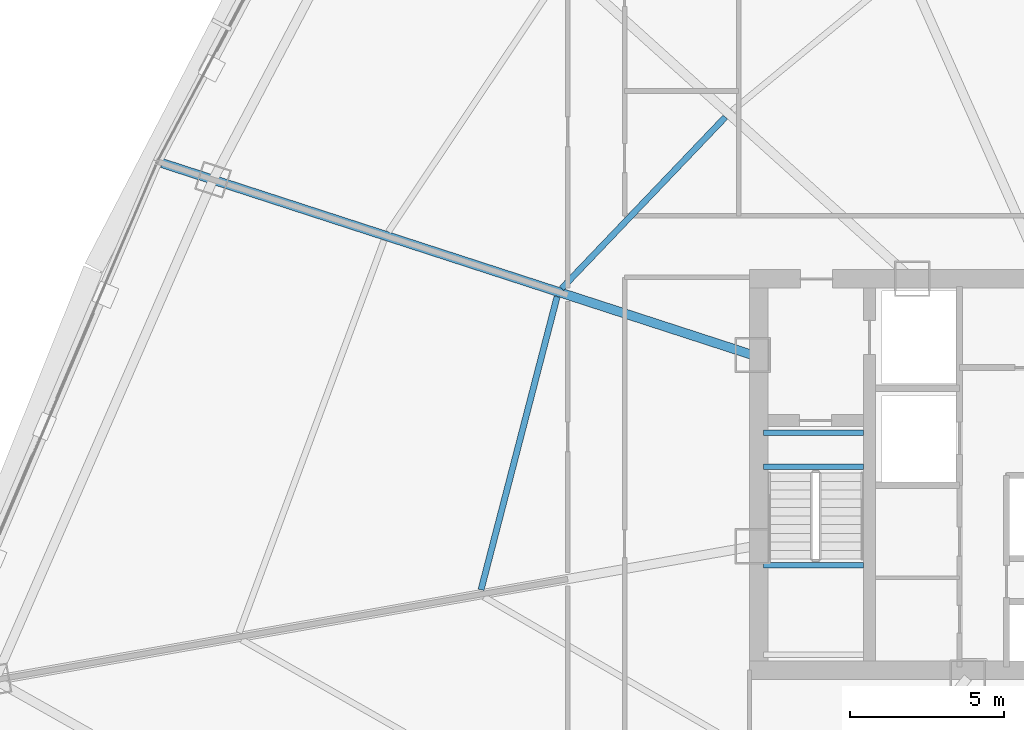
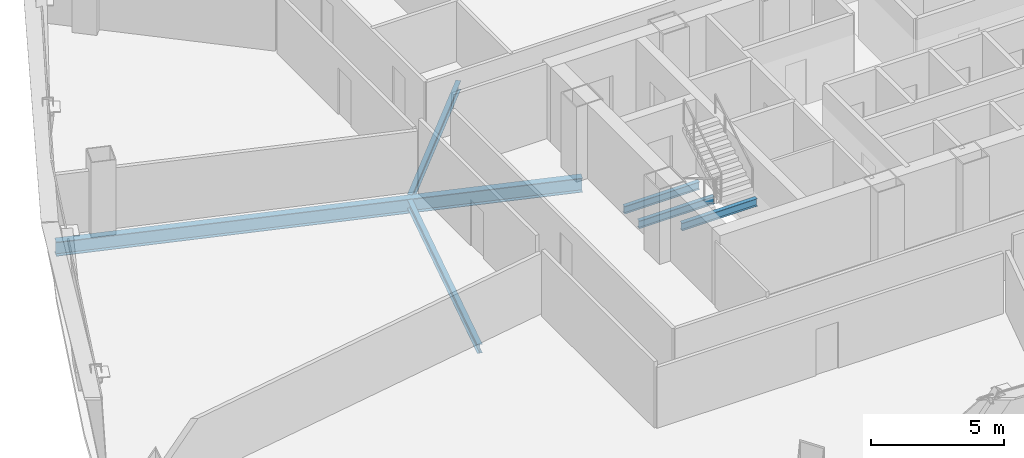
# One storey, part 9 of 42: 6 beams.
"""IFC4 building model written with IfcOpenShell, lengths in metres."""

import ifcopenshell
import ifcopenshell.guid

model = None  # the IFC model being written
_history = None  # IfcOwnerHistory: only IFC2X3 demands one
_inside = {}  # id of a spatial element -> (the spatial element, [elements in it])
_under = {}  # id of a project, library or spatial element -> (it, [spatial elements below it])
_declared = {}  # id of a project -> (the project, [libraries it declares])
_typed = {}  # id of a type object -> (the type object, [elements of that type])
_made_of = {}  # id of a material, layer set ... -> (it, [elements and type objects made of it])


def new_model(schema):
    """Start an empty IFC model of exactly this schema.

    Asked for "IFC4X3", IfcOpenShell would pick the latest addendum, in which some entities
    have other attributes; the version numbers below select the first issue.
    IFC2X3 requires an IfcOwnerHistory on every rooted entity: one is made here for all.
    """
    global model, _history
    if schema == "IFC4X3":
        model = ifcopenshell.file(schema_version=(4, 3, 0, 0))
    else:
        model = ifcopenshell.file(schema=schema)
    _inside.clear()
    _under.clear()
    _declared.clear()
    _typed.clear()
    _made_of.clear()
    _history = None
    if model.schema == "IFC2X3":
        org = make("IfcOrganization", Name="unknown")
        user = make(
            "IfcPersonAndOrganization",
            ThePerson=make("IfcPerson", FamilyName="unknown"),
            TheOrganization=org,
        )
        app = make(
            "IfcApplication",
            ApplicationDeveloper=org,
            Version="unknown",
            ApplicationFullName="unknown",
            ApplicationIdentifier="unknown",
        )
        _history = make(
            "IfcOwnerHistory",
            OwningUser=user,
            OwningApplication=app,
            ChangeAction="ADDED",
            CreationDate=0,
        )
    return model


def make(cls, **values):
    """One entity of the class cls with the attributes given. An attribute that is None is left unset."""
    return model.create_entity(
        cls, **{name: value for name, value in values.items() if value is not None}
    )


def rooted(cls, **values):
    """An entity with a GlobalId (a new one), such as an element, a storey or a relation."""
    return make(cls, GlobalId=ifcopenshell.guid.new(), OwnerHistory=_history, **values)


def si_unit(unit_type, name, prefix=None):
    """IfcSIUnit, for example si_unit("LENGTHUNIT", "METRE", prefix="MILLI")."""
    return make("IfcSIUnit", UnitType=unit_type, Prefix=prefix, Name=name)


def assignment(units):
    """IfcUnitAssignment: the units of a project."""
    return None if units is None else make("IfcUnitAssignment", Units=units)


def point(xyz):
    """IfcCartesianPoint."""
    return None if xyz is None else make("IfcCartesianPoint", Coordinates=xyz)


def direction(xyz):
    """IfcDirection."""
    return None if xyz is None else make("IfcDirection", DirectionRatios=xyz)


def frame(location, z_axis=None, x_axis=None):
    """IfcAxis2Placement3D, a coordinate frame: its origin and axes. An axis left out is left unset."""
    return make(
        "IfcAxis2Placement3D",
        Location=point(location),
        Axis=direction(z_axis),
        RefDirection=direction(x_axis),
    )


def frame_2d(location, x_axis=None):
    """IfcAxis2Placement2D, a coordinate frame in the plane: its origin and x axis."""
    return make(
        "IfcAxis2Placement2D", Location=point(location), RefDirection=direction(x_axis)
    )


def origin():
    """The frame at (0, 0, 0) with its axes left unset."""
    return frame((0.0, 0.0, 0.0))


def origin_2d():
    """The frame at (0, 0) in the plane with its x axis left unset."""
    return frame_2d((0.0, 0.0))


def place(relative_to, where):
    """IfcLocalPlacement: puts the frame where relative to a parent placement (None: the world)."""
    return make(
        "IfcLocalPlacement", PlacementRelTo=relative_to, RelativePlacement=where
    )


def context(
    kind, dimensions, precision=None, world=None, true_north=None, identifier=None
):
    """IfcGeometricRepresentationContext, for example the 3D "Model" context."""
    return make(
        "IfcGeometricRepresentationContext",
        ContextIdentifier=identifier,
        ContextType=kind,
        CoordinateSpaceDimension=dimensions,
        Precision=precision,
        WorldCoordinateSystem=world,
        TrueNorth=true_north,
    )


def subcontext(parent, identifier, kind, view, scale=None):
    """IfcGeometricRepresentationSubContext, for example "Body" below "Model"."""
    return make(
        "IfcGeometricRepresentationSubContext",
        ContextIdentifier=identifier,
        ContextType=kind,
        ParentContext=parent,
        TargetScale=scale,
        TargetView=view,
    )


def project(units=None, contexts=None):
    """IfcProject with its units and contexts."""
    return rooted(
        "IfcProject",
        Name="project",
        RepresentationContexts=contexts,
        UnitsInContext=assignment(units),
    )


def spatial(cls, under=None, at=None, **own):
    """A site, building, storey or space (cls), placed at a placement, below another one or the project."""
    s = rooted(cls, ObjectPlacement=at, **own)
    if under is not None:
        _under.setdefault(under.id(), (under, []))[1].append(s)
    return s


def profile(cls, at=None, kind="AREA", **sizes):
    """A parametric profile (cls). Its sizes go by their IFC names, for example OverallWidth=200.0."""
    return make(cls, ProfileType=kind, Position=at, **sizes)


def i_section(**sizes):
    """IfcIShapeProfileDef."""
    return profile("IfcIShapeProfileDef", **sizes)


def extrude(swept, where, along, depth):
    """IfcExtrudedAreaSolid: the profile swept, set in the frame where, extruded along a direction by depth."""
    return make(
        "IfcExtrudedAreaSolid",
        SweptArea=swept,
        Position=where,
        ExtrudedDirection=direction(along),
        Depth=depth,
    )


def shape(context_of_items, identifier, shape_type, items):
    """IfcShapeRepresentation: the items that make up one representation, for example the "Body"."""
    return make(
        "IfcShapeRepresentation",
        ContextOfItems=context_of_items,
        RepresentationIdentifier=identifier,
        RepresentationType=shape_type,
        Items=items,
    )


def source(mapping_origin, context_of_items, identifier, shape_type, items):
    """IfcRepresentationMap: a shape defined once, which mapped items show again and again."""
    return make(
        "IfcRepresentationMap",
        MappingOrigin=mapping_origin,
        MappedRepresentation=shape(context_of_items, identifier, shape_type, items),
    )


def transform(
    local_origin,
    x_axis=None,
    y_axis=None,
    z_axis=None,
    scale=None,
    scale2=None,
    scale3=None,
    uniform=True,
):
    """IfcCartesianTransformationOperator3D, or its non-uniform kind. x_axis, y_axis, z_axis: its Axis1, 2, 3."""
    if uniform:
        return make(
            "IfcCartesianTransformationOperator3D",
            Axis1=direction(x_axis),
            Axis2=direction(y_axis),
            LocalOrigin=point(local_origin),
            Scale=scale,
            Axis3=direction(z_axis),
        )
    return make(
        "IfcCartesianTransformationOperator3DnonUniform",
        Axis1=direction(x_axis),
        Axis2=direction(y_axis),
        LocalOrigin=point(local_origin),
        Scale=scale,
        Axis3=direction(z_axis),
        Scale2=scale2,
        Scale3=scale3,
    )


def mapped(mapping_source, mapping_target):
    """IfcMappedItem: shows the shape of a source again, moved by a transform."""
    return make(
        "IfcMappedItem", MappingSource=mapping_source, MappingTarget=mapping_target
    )


def material(Name=None, Category=None):
    """IfcMaterial."""
    return make("IfcMaterial", Name=Name, Category=Category)


def material_profile(
    of_material, cross_section, Name=None, Category=None, Priority=None
):
    """IfcMaterialProfile: a cross section and its material."""
    return make(
        "IfcMaterialProfile",
        Name=Name,
        Material=of_material,
        Profile=cross_section,
        Priority=Priority,
        Category=Category,
    )


def profile_set(profiles, Name=None, composite=None):
    """IfcMaterialProfileSet."""
    return make(
        "IfcMaterialProfileSet",
        Name=Name,
        MaterialProfiles=profiles,
        CompositeProfile=composite,
    )


def made_of(thing, what):
    """Note that an element or type object is made of a material, layer set ...; save() writes the relation."""
    if what is not None:
        _made_of.setdefault(what.id(), (what, []))[1].append(thing)
    return thing


def type_object(cls, material=None, **own):
    """A type object (cls), such as IfcWallType, which elements share."""
    return made_of(rooted(cls, **own), material)


def element(
    cls,
    number,
    at=None,
    inside=None,
    cuts=None,
    type_object=None,
    material=None,
    context=None,
    identifier="Body",
    shape_type=None,
    held_by="IfcProductDefinitionShape",
    body=None,
    shapes=None,
    **own,
):
    """One element of the class cls, such as IfcWall. Its Tag is "e" and its number.

    at: its placement. inside: the storey or other place that contains it. cuts: it is an
    opening in that element (IfcRelVoidsElement). A single representation is given by context,
    identifier, shape_type and body (its items); several are given by shapes. held_by: the class
    of the entity that holds the representations. save() writes the other relations.
    """
    e = rooted(cls, Tag="e%d" % number, ObjectPlacement=at, **own)
    if body is not None:
        shapes = [shape(context, identifier, shape_type, body)]
    if shapes is not None:
        e.Representation = make(held_by, Representations=shapes)
    if inside is not None:
        _inside.setdefault(inside.id(), (inside, []))[1].append(e)
    if cuts is not None:
        rooted(
            "IfcRelVoidsElement", RelatingBuildingElement=cuts, RelatedOpeningElement=e
        )
    if type_object is not None:
        _typed.setdefault(type_object.id(), (type_object, []))[1].append(e)
    return made_of(e, material)


def aggregate(whole, parts):
    """IfcRelAggregates: a whole, such as a stair, and the parts it consists of."""
    return rooted("IfcRelAggregates", RelatingObject=whole, RelatedObjects=parts)


def save(model, path):
    """Write the relations noted so far, then the file.

    IfcRelAggregates (storeys below a building ...), IfcRelContainedInSpatialStructure (elements
    in a storey), IfcRelDefinesByType, IfcRelAssociatesMaterial and IfcRelDeclares: one each for
    every whole, place, type object, material and project.
    """
    for whole, parts in _under.values():
        aggregate(whole, parts)
    for where, things in _inside.values():
        rooted(
            "IfcRelContainedInSpatialStructure",
            RelatedElements=things,
            RelatingStructure=where,
        )
    for kind, things in _typed.values():
        rooted("IfcRelDefinesByType", RelatedObjects=things, RelatingType=kind)
    for what, things in _made_of.values():
        rooted("IfcRelAssociatesMaterial", RelatedObjects=things, RelatingMaterial=what)
    for by, libraries in _declared.values():
        rooted("IfcRelDeclares", RelatingContext=by, RelatedDefinitions=libraries)
    model.write(path)


model = new_model("IFC4")

# Units and contexts
model_context = context("Model", 3, precision=1e-05, world=origin(), true_north=direction((0.0, 1.0)))
body_context = subcontext(model_context, "Body", "Model", "MODEL_VIEW")
ifc_project = project(units=[si_unit("LENGTHUNIT", "METRE"), si_unit("AREAUNIT", "SQUARE_METRE"), si_unit("VOLUMEUNIT", "CUBIC_METRE"), si_unit("PLANEANGLEUNIT", "RADIAN"), si_unit("MASSUNIT", "GRAM", prefix="KILO"), si_unit("THERMODYNAMICTEMPERATUREUNIT", "KELVIN"), si_unit("POWERUNIT", "WATT")], contexts=[model_context])

# Site, building, storey
site_placement = place(None, origin())
site = spatial("IfcSite", under=ifc_project, at=site_placement, CompositionType="ELEMENT")
building_placement = place(site_placement, origin())
building = spatial("IfcBuilding", under=site, at=building_placement, Name="Yunzhuo Pagoda Commons", CompositionType="ELEMENT")
storey_placement = place(building_placement, frame((0.0, 0.0, 137.18994140625)))
storey = spatial("IfcBuildingStorey", under=building, at=storey_placement, Name="L34", CompositionType="ELEMENT", Elevation=137.18994140625)

# Beams
ifc_material = material(Name="Structural steel Q355B", Category="steel")
ifc_material_profile_1 = material_profile(ifc_material, i_section(OverallWidth=0.175048828125, OverallDepth=0.35009765625, WebThickness=0.007080078125, FlangeThickness=0.010986328125, at=origin_2d()), Name="Structural steel Q355B")
ifc_profile_set_1 = profile_set([ifc_material_profile_1], Name="Structural steel Q355B")
beam_type_1 = type_object("IfcBeamType", Name="B-JS2 Joist HN 350x175x7x11", PredefinedType="JOIST", material=ifc_profile_set_1)
shared_shape_1 = source(origin(), body_context, "Body", "SweptSolid", [
    extrude(i_section(OverallWidth=0.175048828125, OverallDepth=0.35009765625, WebThickness=0.007080078125, FlangeThickness=0.010986328125, at=origin_2d()), origin(), (0.0, 0.0, 1.0), 3.25),
])
for number, where, z_axis, x_axis, name in (
    (1, (35.949951171875, 30.89990234375, 1.465087890625), (1.0, 0.0, 0.0), (0.0, 1.0, 0.0), "L34 ST1 landing support beam 40B"),
    (2, (35.949951171875, 34.10009765625, -0.375), (1.0, 0.0, 0.0), (0.0, 1.0, 0.0), "L34 ST1 landing support beam 138A"),
    (3, (35.949951171875, 35.199951171875, -0.375), (1.0, 0.0, 0.0), (0.0, 1.0, 0.0), "L34 ST1 landing support beam 138B"),
):
    element("IfcBeam", number, at=place(storey_placement, frame(where, z_axis=z_axis, x_axis=x_axis)), inside=storey, type_object=beam_type_1, Name=name, PredefinedType="JOIST", context=body_context, shape_type="MappedRepresentation", body=[
        mapped(shared_shape_1, transform((0.0, 0.0, 0.0), scale=1.0)),
    ])
ifc_material_profile_2 = material_profile(ifc_material, i_section(OverallWidth=0.300048828125, OverallDepth=0.64990234375, WebThickness=0.012939453125, FlangeThickness=0.02197265625, at=origin_2d()), Name="Structural steel Q355B")
ifc_profile_set_2 = profile_set([ifc_material_profile_2], Name="Structural steel Q355B")
beam_type_2 = type_object("IfcBeamType", Name="B-RG2 Beam HN 650x300x13x22", PredefinedType="BEAM", material=ifc_profile_set_2)
shared_shape_2 = source(origin(), body_context, "Body", "SweptSolid", [
    extrude(i_section(OverallWidth=0.300048828125, OverallDepth=0.64990234375, WebThickness=0.012939453125, FlangeThickness=0.02197265625, at=origin_2d()), origin(), (0.0, 0.0, 1.0), 20.159912109375),
])
beam_1_placement = place(storey_placement, frame((16.427001953125, 43.958740234375, -0.584716796875), z_axis=(0.951056226242, -0.309017887067, 0.0), x_axis=(0.309017887067, 0.951056226242, 0.0)))
element("IfcBeam", 4, at=beam_1_placement, inside=storey, type_object=beam_type_2, Name="L34 radial floor girder F3C3", PredefinedType="BEAM", context=body_context, shape_type="MappedRepresentation", body=[
    mapped(shared_shape_2, transform((0.0, 0.0, 0.0), scale=1.0)),
])
ifc_material_profile_3 = material_profile(ifc_material, i_section(OverallWidth=0.199951171875, OverallDepth=0.39990234375, WebThickness=0.008056640625, FlangeThickness=0.012939453125, at=origin_2d()), Name="Structural steel Q355B")
ifc_profile_set_3 = profile_set([ifc_material_profile_3], Name="Structural steel Q355B")
beam_type_3 = type_object("IfcBeamType", Name="B-JS1 Joist HN 400x200x8x13", PredefinedType="JOIST", material=ifc_profile_set_3)
shared_shape_3 = source(origin(), body_context, "Body", "SweptSolid", [
    extrude(i_section(OverallWidth=0.199951171875, OverallDepth=0.39990234375, WebThickness=0.008056640625, FlangeThickness=0.012939453125, at=origin_2d()), origin(), (0.0, 0.0, 1.0), 9.8330078125),
])
beam_2_placement = place(storey_placement, frame((29.254638671875, 39.623779296875, -0.459716796875), z_axis=(-0.251166367041, -0.967943932295, 0.0), x_axis=(0.967943932295, -0.251166367041, 0.0)))
element("IfcBeam", 5, at=beam_2_placement, inside=storey, type_object=beam_type_3, Name="L34 composite ring joist 1.11", PredefinedType="JOIST", context=body_context, shape_type="MappedRepresentation", body=[
    mapped(shared_shape_3, transform((0.0, 0.0, 0.0), scale=1.0)),
])
shared_shape_4 = source(origin(), body_context, "Body", "SweptSolid", [
    extrude(i_section(OverallWidth=0.199951171875, OverallDepth=0.39990234375, WebThickness=0.008056640625, FlangeThickness=0.012939453125, at=origin_2d()), origin(), (0.0, 0.0, 1.0), 7.685546875),
])
beam_3_placement = place(storey_placement, frame((34.714111328125, 45.448974609375, -0.459716796875), z_axis=(-0.690882862648, -0.722966714378, 0.0), x_axis=(0.722966714378, -0.690882862648, 0.0)))
element("IfcBeam", 6, at=beam_3_placement, inside=storey, type_object=beam_type_3, Name="L34 composite ring joist 1.10", PredefinedType="JOIST", context=body_context, shape_type="MappedRepresentation", body=[
    mapped(shared_shape_4, transform((0.0, 0.0, 0.0), scale=1.0)),
])

save(model, "model.ifc")
